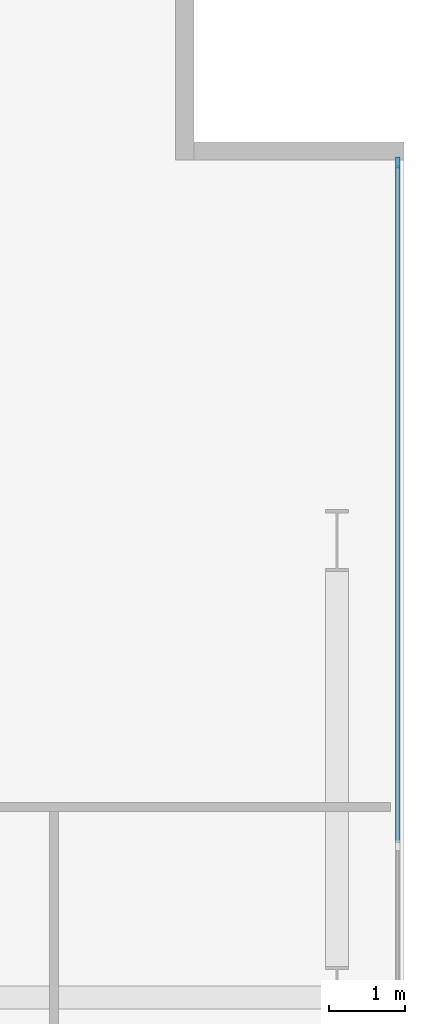
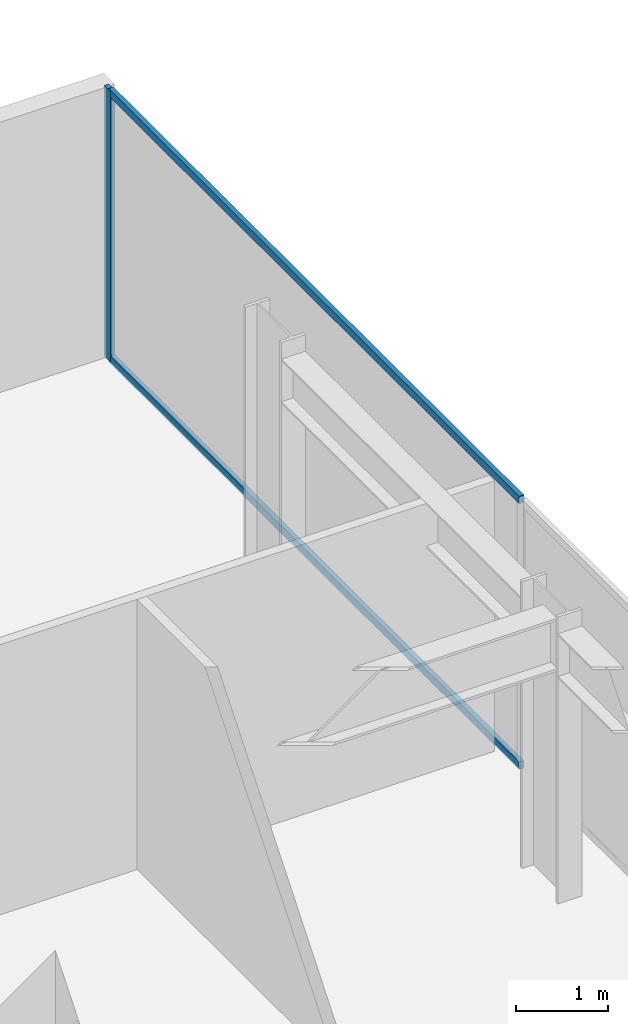
# One storey, part 15 of 23: 3 members, 1 element without a shape of its own.
"""IFC4 building model written with IfcOpenShell, lengths in metres."""

from ifc_helpers import new_model, si_unit, direction, frame, origin, origin_2d, place, context, subcontext, project, spatial, rectangle, extrude, material, layer, layer_set, material_profile, profile_set, type_object, element, aggregate, save


model = new_model("IFC4")

# Units and contexts
model_context = context("Model", 3, precision=1e-05, world=origin(), true_north=direction((0.0, 1.0)))
body_context = subcontext(model_context, "Body", "Model", "MODEL_VIEW")
ifc_project = project(units=[si_unit("LENGTHUNIT", "METRE"), si_unit("AREAUNIT", "SQUARE_METRE"), si_unit("VOLUMEUNIT", "CUBIC_METRE"), si_unit("PLANEANGLEUNIT", "RADIAN"), si_unit("MASSUNIT", "GRAM", prefix="KILO")], contexts=[model_context])

# Site, building, storey
site_placement = place(None, origin())
site = spatial("IfcSite", under=ifc_project, at=site_placement, CompositionType="ELEMENT")
building_placement = place(site_placement, origin())
building = spatial("IfcBuilding", under=site, at=building_placement, Name="Putna Gate Headquarters", CompositionType="ELEMENT")
storey_placement = place(building_placement, frame((0.0, 0.0, 221.39990234375)))
storey = spatial("IfcBuildingStorey", under=building, at=storey_placement, Name="L55", CompositionType="ELEMENT", Elevation=221.39990234375)

# Curtain wall, members
ifc_material_1 = material(Name="Anodised bronze aluminium curtain wall", Category="aluminium")
ifc_layer = layer(ifc_material_1, 0.139892578125)
ifc_layer_set = layer_set([ifc_layer], Name="Anodised bronze aluminium curtain wall")
curtain_wall_type = type_object("IfcCurtainWallType", Name="CW-SYS-Z4", PredefinedType="USERDEFINED", material=ifc_layer_set)
curtain_wall_placement = place(storey_placement, origin())
curtain_wall = element("IfcCurtainWall", 1, at=curtain_wall_placement, inside=storey, type_object=curtain_wall_type, Name="L55 East Curtain Wall", ObjectType="STICK CURTAIN WALL", PredefinedType="USERDEFINED")
ifc_material_2 = material(Name="Anodised bronze aluminium EN AW-6060", Category="aluminium")
ifc_material_profile_1 = material_profile(ifc_material_2, rectangle(XDim=0.06005859375, YDim=0.139892578125, at=origin_2d()), Name="Anodised bronze aluminium EN AW-6060")
ifc_profile_set_1 = profile_set([ifc_material_profile_1], Name="Anodised bronze aluminium EN AW-6060")
member_type_1 = type_object("IfcMemberType", Name="MULL-CWM-4", PredefinedType="MULLION", material=ifc_profile_set_1)
member_1_placement = place(storey_placement, frame((72.1201171875, 43.969970703125, 0.0), z_axis=(0.0, 0.0, 1.0), x_axis=(-1.0, 0.0, 0.0)))
member_1 = element("IfcMember", 2, at=member_1_placement, type_object=member_type_1, Name="CWS-4 mullion 5", PredefinedType="MULLION", context=body_context, shape_type="SweptSolid", body=[
    extrude(rectangle(XDim=0.06005859375, YDim=0.139892578125, at=origin_2d()), origin(), (0.0, 0.0, 1.0), 3.580078125),
])
ifc_material_profile_2 = material_profile(ifc_material_2, rectangle(XDim=0.06005859375, YDim=0.10009765625, at=origin_2d()), Name="Anodised bronze aluminium EN AW-6060")
ifc_profile_set_2 = profile_set([ifc_material_profile_2], Name="Anodised bronze aluminium EN AW-6060")
member_type_2 = type_object("IfcMemberType", Name="TRAN-CWT-4", PredefinedType="USERDEFINED", material=ifc_profile_set_2)
member_2_placement = place(storey_placement, frame((72.1201171875, 35.030029296875, 0.030029296875), z_axis=(0.0, 1.0, 0.0), x_axis=(-1.0, 0.0, 0.0)))
member_2 = element("IfcMember", 3, at=member_2_placement, type_object=member_type_2, Name="CWS-4 transom 4.1", ObjectType="TRANSOM", PredefinedType="USERDEFINED", context=body_context, shape_type="SweptSolid", body=[
    extrude(rectangle(XDim=0.06005859375, YDim=0.10009765625, at=origin_2d()), origin(), (0.0, 0.0, 1.0), 8.909912109375),
])
member_3_placement = place(storey_placement, frame((72.1201171875, 35.030029296875, 3.550048828125), z_axis=(0.0, 1.0, 0.0), x_axis=(-1.0, 0.0, 0.0)))
member_3 = element("IfcMember", 4, at=member_3_placement, type_object=member_type_2, Name="CWS-4 transom 4.2", ObjectType="TRANSOM", PredefinedType="USERDEFINED", context=body_context, shape_type="SweptSolid", body=[
    extrude(rectangle(XDim=0.06005859375, YDim=0.10009765625, at=origin_2d()), origin(), (0.0, 0.0, 1.0), 8.909912109375),
])
aggregate(curtain_wall, [member_1, member_2, member_3])

save(model, "model.ifc")
